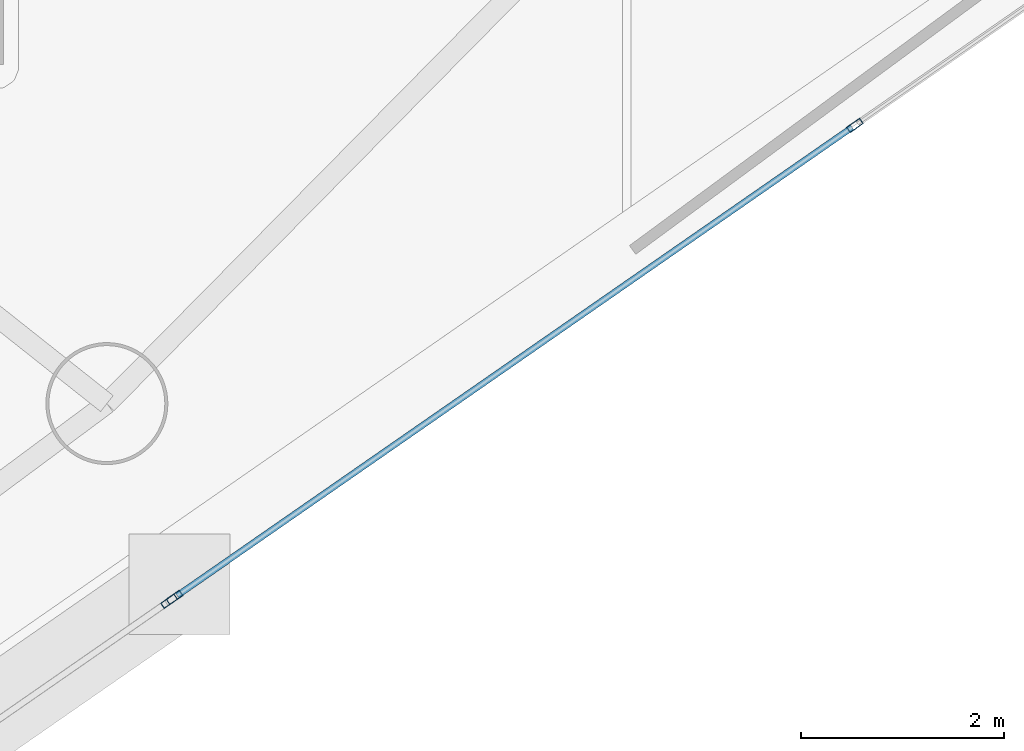
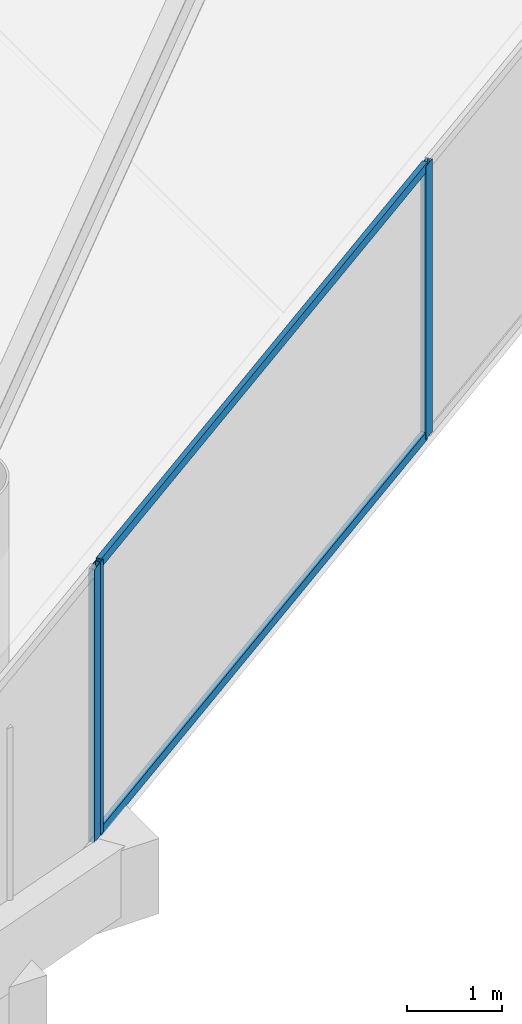
# One storey, part 8 of 23: 5 members, 2 elements without a shape of their own.
"""IFC4 building model written with IfcOpenShell, lengths in metres."""

from ifc_helpers import new_model, si_unit, direction, frame, origin, origin_2d, place, context, subcontext, project, spatial, hollow_rectangle, extrude, material, layer, layer_set, material_profile, profile_set, type_object, element, aggregate, save


model = new_model("IFC4")

# Units and contexts
model_context = context("Model", 3, precision=1e-05, world=origin(), true_north=direction((0.0, 1.0)))
body_context = subcontext(model_context, "Body", "Model", "MODEL_VIEW")
ifc_project = project(units=[si_unit("LENGTHUNIT", "METRE"), si_unit("AREAUNIT", "SQUARE_METRE"), si_unit("VOLUMEUNIT", "CUBIC_METRE"), si_unit("PLANEANGLEUNIT", "RADIAN"), si_unit("MASSUNIT", "GRAM", prefix="KILO")], contexts=[model_context])

# Site, building, storey
site_placement = place(None, origin())
site = spatial("IfcSite", under=ifc_project, at=site_placement, CompositionType="ELEMENT")
building_placement = place(site_placement, origin())
building = spatial("IfcBuilding", under=site, at=building_placement, Name="Qianvela Tower", CompositionType="ELEMENT")
storey_placement = place(building_placement, frame((0.0, 0.0, 192.89990234375)))
storey = spatial("IfcBuildingStorey", under=building, at=storey_placement, Name="L49", CompositionType="ELEMENT", Elevation=192.89990234375)

# Curtain wall, member
ifc_material_1 = material(Name="Anodised Architectural Aluminium and Insulated Spandrel Panel", Category="aluminium")
ifc_layer_1 = layer(ifc_material_1, 0.179931640625)
ifc_layer_set_1 = layer_set([ifc_layer_1], Name="Anodised Architectural Aluminium and Insulated Spandrel Panel")
curtain_wall_type_1 = type_object("IfcCurtainWallType", Name="CW-BRACEBAY", PredefinedType="USERDEFINED", material=ifc_layer_set_1)
curtain_wall_1_placement = place(storey_placement, origin())
curtain_wall_1 = element("IfcCurtainWall", 1, at=curtain_wall_1_placement, inside=storey, type_object=curtain_wall_type_1, Name="L49 CW-BRACEBAY Curtain Wall 06A", ObjectType="CURTAIN_WALL_SYSTEM", PredefinedType="USERDEFINED")
ifc_material_2 = material(Name="Anodised Architectural Aluminium 6063-T6", Category="aluminium")
ifc_material_profile_1 = material_profile(ifc_material_2, hollow_rectangle(XDim=0.06494140625, YDim=0.159912109375, WallThickness=0.0048828125, at=origin_2d()), Name="ALU-MULL-65x160")
ifc_profile_set_1 = profile_set([ifc_material_profile_1], Name="Anodised Architectural Aluminium 6063-T6")
member_type_1 = type_object("IfcMemberType", Name="CW-BRACEBAY-MULL", PredefinedType="MULLION", material=ifc_profile_set_1)
member_1_placement = place(storey_placement, frame((45.279541015625, 16.938720703125, 0.0), z_axis=(0.0, 0.0, 1.0), x_axis=(-0.570036654674, 0.821619262388, 0.0)))
member_1 = element("IfcMember", 2, at=member_1_placement, type_object=member_type_1, Name="CW-9 mullion 3", PredefinedType="MULLION", context=body_context, shape_type="SweptSolid", body=[
    extrude(hollow_rectangle(XDim=0.06494140625, YDim=0.159912109375, WallThickness=0.0048828125, at=origin_2d()), origin(), (0.0, 0.0, 1.0), 3.52001953125),
])
aggregate(curtain_wall_1, [member_1])

# Curtain wall, members
ifc_material_3 = material(Name="Anodised Architectural Aluminium and Low-E Glass", Category="aluminium")
ifc_layer_2 = layer(ifc_material_3, 0.159912109375)
ifc_layer_set_2 = layer_set([ifc_layer_2], Name="Anodised Architectural Aluminium and Low-E Glass")
curtain_wall_type_2 = type_object("IfcCurtainWallType", Name="CW-COLIV-Z56", PredefinedType="USERDEFINED", material=ifc_layer_set_2)
curtain_wall_2_placement = place(storey_placement, origin())
curtain_wall_2 = element("IfcCurtainWall", 3, at=curtain_wall_2_placement, inside=storey, type_object=curtain_wall_type_2, Name="L49 CW-COLIV-Z56 Curtain Wall 06B", ObjectType="CURTAIN_WALL_SYSTEM", PredefinedType="USERDEFINED")
ifc_material_4 = material(Name="Anodised Architectural Aluminium 6063-T6", Category="aluminium")
ifc_material_profile_2 = material_profile(ifc_material_4, hollow_rectangle(XDim=0.06494140625, YDim=0.159912109375, WallThickness=0.0048828125, at=origin_2d()), Name="ALU-MULL-65x160")
ifc_profile_set_2 = profile_set([ifc_material_profile_2], Name="Anodised Architectural Aluminium 6063-T6")
member_type_2 = type_object("IfcMemberType", Name="CW-COLIV-Z56-MULL", PredefinedType="MULLION", material=ifc_profile_set_2)
member_2_placement = place(storey_placement, frame((45.3330078125, 16.975830078125, 0.0), z_axis=(0.0, 0.0, 1.0), x_axis=(-0.570039357353, 0.821617387273, 0.0)))
member_2 = element("IfcMember", 4, at=member_2_placement, type_object=member_type_2, Name="CW-5 mullion 1", PredefinedType="MULLION", context=body_context, shape_type="SweptSolid", body=[
    extrude(hollow_rectangle(XDim=0.06494140625, YDim=0.159912109375, WallThickness=0.0048828125, at=origin_2d()), origin(), (0.0, 0.0, 1.0), 3.52001953125),
])
member_3_placement = place(storey_placement, frame((52.0263671875, 21.61962890625, 0.0), z_axis=(0.0, 0.0, 1.0), x_axis=(-0.570039357353, 0.821617387273, 0.0)))
member_3 = element("IfcMember", 5, at=member_3_placement, type_object=member_type_2, Name="CW-5 mullion 2", PredefinedType="MULLION", context=body_context, shape_type="SweptSolid", body=[
    extrude(hollow_rectangle(XDim=0.06494140625, YDim=0.159912109375, WallThickness=0.0048828125, at=origin_2d()), origin(), (0.0, 0.0, 1.0), 3.52001953125),
])
ifc_material_5 = material(Name="Anodised Architectural Aluminium 6063-T6", Category="aluminium")
ifc_material_profile_3 = material_profile(ifc_material_5, hollow_rectangle(XDim=0.06005859375, YDim=0.114990234375, WallThickness=0.00390625, at=origin_2d()), Name="ALU-TRAN-60x115")
ifc_profile_set_3 = profile_set([ifc_material_profile_3], Name="Anodised Architectural Aluminium 6063-T6")
member_type_3 = type_object("IfcMemberType", Name="CW-COLIV-Z56-TRAN", PredefinedType="USERDEFINED", material=ifc_profile_set_3)
member_4_placement = place(storey_placement, frame((45.359619140625, 16.994140625, 0.030029296875), z_axis=(0.821617565389, 0.570039100628, 0.0), x_axis=(-0.570039100628, 0.821617565389, 0.0)))
member_4 = element("IfcMember", 6, at=member_4_placement, type_object=member_type_3, Name="CW-5 transom 1.1", ObjectType="TRANSOM", PredefinedType="USERDEFINED", context=body_context, shape_type="SweptSolid", body=[
    extrude(hollow_rectangle(XDim=0.06005859375, YDim=0.114990234375, WallThickness=0.00390625, at=origin_2d()), origin(), (0.0, 0.0, 1.0), 8.081787109375),
])
member_5_placement = place(storey_placement, frame((45.359619140625, 16.994140625, 3.489990234375), z_axis=(0.821617565389, 0.570039100628, 0.0), x_axis=(-0.570039100628, 0.821617565389, 0.0)))
member_5 = element("IfcMember", 7, at=member_5_placement, type_object=member_type_3, Name="CW-5 transom 1.2", ObjectType="TRANSOM", PredefinedType="USERDEFINED", context=body_context, shape_type="SweptSolid", body=[
    extrude(hollow_rectangle(XDim=0.06005859375, YDim=0.114990234375, WallThickness=0.00390625, at=origin_2d()), origin(), (0.0, 0.0, 1.0), 8.081787109375),
])
aggregate(curtain_wall_2, [member_2, member_3, member_4, member_5])

save(model, "model.ifc")
